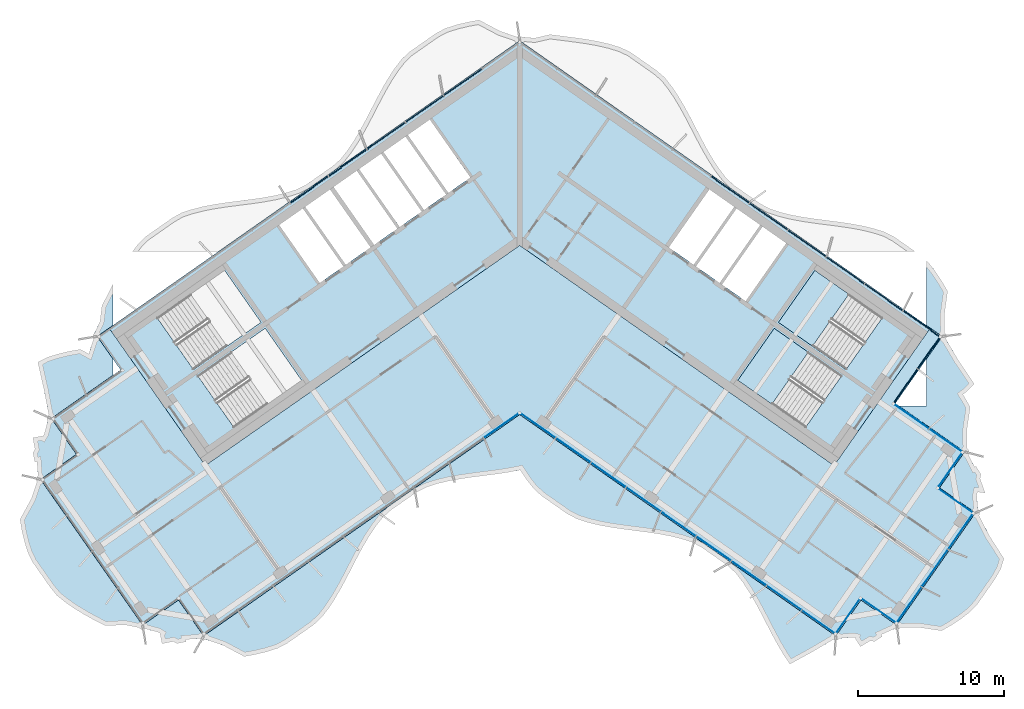
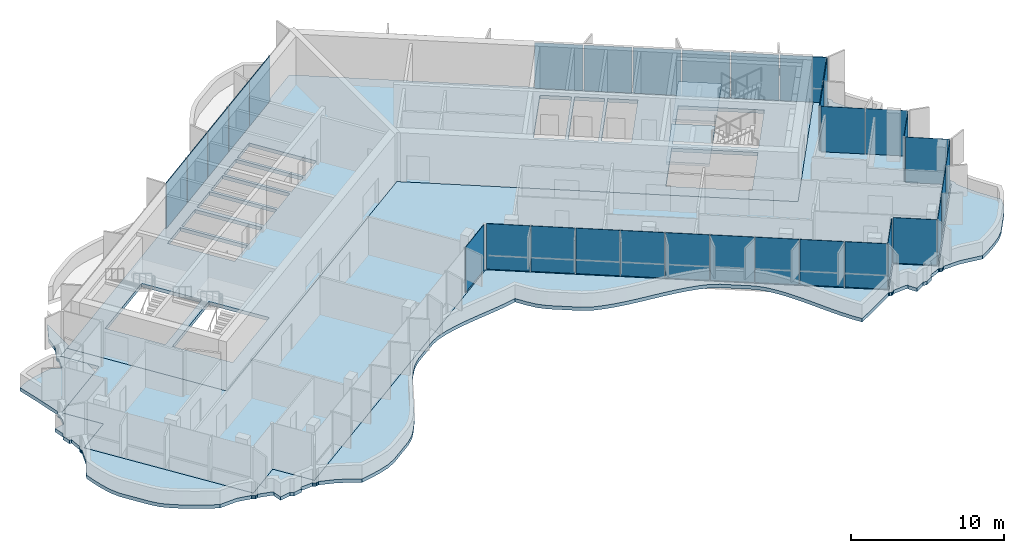
# One storey, part 8 of 18: 32 plates, 5 slabs, 4 elements without a shape of their own.
"""IFC4 building model written with IfcOpenShell, lengths in metres."""

import ifcopenshell
import ifcopenshell.guid

model = None  # the IFC model being written
_history = None  # IfcOwnerHistory: only IFC2X3 demands one
_inside = {}  # id of a spatial element -> (the spatial element, [elements in it])
_under = {}  # id of a project, library or spatial element -> (it, [spatial elements below it])
_declared = {}  # id of a project -> (the project, [libraries it declares])
_typed = {}  # id of a type object -> (the type object, [elements of that type])
_made_of = {}  # id of a material, layer set ... -> (it, [elements and type objects made of it])


def new_model(schema):
    """Start an empty IFC model of exactly this schema.

    Asked for "IFC4X3", IfcOpenShell would pick the latest addendum, in which some entities
    have other attributes; the version numbers below select the first issue.
    IFC2X3 requires an IfcOwnerHistory on every rooted entity: one is made here for all.
    """
    global model, _history
    if schema == "IFC4X3":
        model = ifcopenshell.file(schema_version=(4, 3, 0, 0))
    else:
        model = ifcopenshell.file(schema=schema)
    _inside.clear()
    _under.clear()
    _declared.clear()
    _typed.clear()
    _made_of.clear()
    _history = None
    if model.schema == "IFC2X3":
        org = make("IfcOrganization", Name="unknown")
        user = make(
            "IfcPersonAndOrganization",
            ThePerson=make("IfcPerson", FamilyName="unknown"),
            TheOrganization=org,
        )
        app = make(
            "IfcApplication",
            ApplicationDeveloper=org,
            Version="unknown",
            ApplicationFullName="unknown",
            ApplicationIdentifier="unknown",
        )
        _history = make(
            "IfcOwnerHistory",
            OwningUser=user,
            OwningApplication=app,
            ChangeAction="ADDED",
            CreationDate=0,
        )
    return model


def make(cls, **values):
    """One entity of the class cls with the attributes given. An attribute that is None is left unset."""
    return model.create_entity(
        cls, **{name: value for name, value in values.items() if value is not None}
    )


def rooted(cls, **values):
    """An entity with a GlobalId (a new one), such as an element, a storey or a relation."""
    return make(cls, GlobalId=ifcopenshell.guid.new(), OwnerHistory=_history, **values)


def si_unit(unit_type, name, prefix=None):
    """IfcSIUnit, for example si_unit("LENGTHUNIT", "METRE", prefix="MILLI")."""
    return make("IfcSIUnit", UnitType=unit_type, Prefix=prefix, Name=name)


def assignment(units):
    """IfcUnitAssignment: the units of a project."""
    return None if units is None else make("IfcUnitAssignment", Units=units)


def point(xyz):
    """IfcCartesianPoint."""
    return None if xyz is None else make("IfcCartesianPoint", Coordinates=xyz)


def direction(xyz):
    """IfcDirection."""
    return None if xyz is None else make("IfcDirection", DirectionRatios=xyz)


def frame(location, z_axis=None, x_axis=None):
    """IfcAxis2Placement3D, a coordinate frame: its origin and axes. An axis left out is left unset."""
    return make(
        "IfcAxis2Placement3D",
        Location=point(location),
        Axis=direction(z_axis),
        RefDirection=direction(x_axis),
    )


def frame_2d(location, x_axis=None):
    """IfcAxis2Placement2D, a coordinate frame in the plane: its origin and x axis."""
    return make(
        "IfcAxis2Placement2D", Location=point(location), RefDirection=direction(x_axis)
    )


def origin():
    """The frame at (0, 0, 0) with its axes left unset."""
    return frame((0.0, 0.0, 0.0))


def origin_2d():
    """The frame at (0, 0) in the plane with its x axis left unset."""
    return frame_2d((0.0, 0.0))


def place(relative_to, where):
    """IfcLocalPlacement: puts the frame where relative to a parent placement (None: the world)."""
    return make(
        "IfcLocalPlacement", PlacementRelTo=relative_to, RelativePlacement=where
    )


def context(
    kind, dimensions, precision=None, world=None, true_north=None, identifier=None
):
    """IfcGeometricRepresentationContext, for example the 3D "Model" context."""
    return make(
        "IfcGeometricRepresentationContext",
        ContextIdentifier=identifier,
        ContextType=kind,
        CoordinateSpaceDimension=dimensions,
        Precision=precision,
        WorldCoordinateSystem=world,
        TrueNorth=true_north,
    )


def subcontext(parent, identifier, kind, view, scale=None):
    """IfcGeometricRepresentationSubContext, for example "Body" below "Model"."""
    return make(
        "IfcGeometricRepresentationSubContext",
        ContextIdentifier=identifier,
        ContextType=kind,
        ParentContext=parent,
        TargetScale=scale,
        TargetView=view,
    )


def project(units=None, contexts=None):
    """IfcProject with its units and contexts."""
    return rooted(
        "IfcProject",
        Name="project",
        RepresentationContexts=contexts,
        UnitsInContext=assignment(units),
    )


def spatial(cls, under=None, at=None, **own):
    """A site, building, storey or space (cls), placed at a placement, below another one or the project."""
    s = rooted(cls, ObjectPlacement=at, **own)
    if under is not None:
        _under.setdefault(under.id(), (under, []))[1].append(s)
    return s


def polyline(points):
    """IfcPolyline through the points."""
    return make("IfcPolyline", Points=[point(p) for p in points])


def profile(cls, at=None, kind="AREA", **sizes):
    """A parametric profile (cls). Its sizes go by their IFC names, for example OverallWidth=200.0."""
    return make(cls, ProfileType=kind, Position=at, **sizes)


def rectangle(**sizes):
    """IfcRectangleProfileDef."""
    return profile("IfcRectangleProfileDef", **sizes)


def outline(outer, holes=None, kind="AREA"):
    """IfcArbitraryClosedProfileDef: a profile drawn as a closed curve; with holes, ...WithVoids."""
    if holes is None:
        return make("IfcArbitraryClosedProfileDef", ProfileType=kind, OuterCurve=outer)
    return make(
        "IfcArbitraryProfileDefWithVoids",
        ProfileType=kind,
        OuterCurve=outer,
        InnerCurves=holes,
    )


def extrude(swept, where, along, depth):
    """IfcExtrudedAreaSolid: the profile swept, set in the frame where, extruded along a direction by depth."""
    return make(
        "IfcExtrudedAreaSolid",
        SweptArea=swept,
        Position=where,
        ExtrudedDirection=direction(along),
        Depth=depth,
    )


def shape(context_of_items, identifier, shape_type, items):
    """IfcShapeRepresentation: the items that make up one representation, for example the "Body"."""
    return make(
        "IfcShapeRepresentation",
        ContextOfItems=context_of_items,
        RepresentationIdentifier=identifier,
        RepresentationType=shape_type,
        Items=items,
    )


def material(Name=None, Category=None):
    """IfcMaterial."""
    return make("IfcMaterial", Name=Name, Category=Category)


def layer(
    of_material, thickness, ventilated=None, Name=None, Category=None, Priority=None
):
    """IfcMaterialLayer: one layer of a wall or slab, of a material (None: an air gap)."""
    return make(
        "IfcMaterialLayer",
        Material=of_material,
        LayerThickness=thickness,
        IsVentilated=ventilated,
        Name=Name,
        Category=Category,
        Priority=Priority,
    )


def layer_set(layers, Name=None):
    """IfcMaterialLayerSet."""
    return make("IfcMaterialLayerSet", MaterialLayers=layers, LayerSetName=Name)


def made_of(thing, what):
    """Note that an element or type object is made of a material, layer set ...; save() writes the relation."""
    if what is not None:
        _made_of.setdefault(what.id(), (what, []))[1].append(thing)
    return thing


def type_object(cls, material=None, **own):
    """A type object (cls), such as IfcWallType, which elements share."""
    return made_of(rooted(cls, **own), material)


def element(
    cls,
    number,
    at=None,
    inside=None,
    cuts=None,
    type_object=None,
    material=None,
    context=None,
    identifier="Body",
    shape_type=None,
    held_by="IfcProductDefinitionShape",
    body=None,
    shapes=None,
    **own,
):
    """One element of the class cls, such as IfcWall. Its Tag is "e" and its number.

    at: its placement. inside: the storey or other place that contains it. cuts: it is an
    opening in that element (IfcRelVoidsElement). A single representation is given by context,
    identifier, shape_type and body (its items); several are given by shapes. held_by: the class
    of the entity that holds the representations. save() writes the other relations.
    """
    e = rooted(cls, Tag="e%d" % number, ObjectPlacement=at, **own)
    if body is not None:
        shapes = [shape(context, identifier, shape_type, body)]
    if shapes is not None:
        e.Representation = make(held_by, Representations=shapes)
    if inside is not None:
        _inside.setdefault(inside.id(), (inside, []))[1].append(e)
    if cuts is not None:
        rooted(
            "IfcRelVoidsElement", RelatingBuildingElement=cuts, RelatedOpeningElement=e
        )
    if type_object is not None:
        _typed.setdefault(type_object.id(), (type_object, []))[1].append(e)
    return made_of(e, material)


def aggregate(whole, parts):
    """IfcRelAggregates: a whole, such as a stair, and the parts it consists of."""
    return rooted("IfcRelAggregates", RelatingObject=whole, RelatedObjects=parts)


def save(model, path):
    """Write the relations noted so far, then the file.

    IfcRelAggregates (storeys below a building ...), IfcRelContainedInSpatialStructure (elements
    in a storey), IfcRelDefinesByType, IfcRelAssociatesMaterial and IfcRelDeclares: one each for
    every whole, place, type object, material and project.
    """
    for whole, parts in _under.values():
        aggregate(whole, parts)
    for where, things in _inside.values():
        rooted(
            "IfcRelContainedInSpatialStructure",
            RelatedElements=things,
            RelatingStructure=where,
        )
    for kind, things in _typed.values():
        rooted("IfcRelDefinesByType", RelatedObjects=things, RelatingType=kind)
    for what, things in _made_of.values():
        rooted("IfcRelAssociatesMaterial", RelatedObjects=things, RelatingMaterial=what)
    for by, libraries in _declared.values():
        rooted("IfcRelDeclares", RelatingContext=by, RelatedDefinitions=libraries)
    model.write(path)


model = new_model("IFC4")

# Units and contexts
model_context = context("Model", 3, precision=1e-05, world=origin(), true_north=direction((0.0, 1.0)))
body_context = subcontext(model_context, "Body", "Model", "MODEL_VIEW")
ifc_project = project(units=[si_unit("LENGTHUNIT", "METRE"), si_unit("AREAUNIT", "SQUARE_METRE"), si_unit("VOLUMEUNIT", "CUBIC_METRE"), si_unit("PLANEANGLEUNIT", "RADIAN"), si_unit("MASSUNIT", "GRAM", prefix="KILO")], contexts=[model_context])

# Site, building, storey
site_placement = place(None, origin())
site = spatial("IfcSite", under=ifc_project, at=site_placement, CompositionType="ELEMENT")
building_placement = place(site_placement, origin())
building = spatial("IfcBuilding", under=site, at=building_placement, Name="Tel Ilan Convention Tower", CompositionType="ELEMENT")
storey_placement = place(building_placement, frame((0.0, 0.0, 260.5)))
storey = spatial("IfcBuildingStorey", under=building, at=storey_placement, Name="L61", CompositionType="ELEMENT", Elevation=260.5)

# Curtain wall, plates
ifc_material_1 = material(Name="Aluminium, bronze anodised", Category="aluminium")
curtain_wall_type_1 = type_object("IfcCurtainWallType", Name="CW2 STICK CURTAIN WALL, SPANDREL PANELS", PredefinedType="NOTDEFINED", material=ifc_material_1)
curtain_wall_1_placement = place(storey_placement, origin())
curtain_wall_1 = element("IfcCurtainWall", 1, at=curtain_wall_1_placement, inside=storey, type_object=curtain_wall_type_1, Name="Curtain wall CW2-46.01", PredefinedType="NOTDEFINED")
ifc_material_2 = material(Name="Aluminium composite panel, bronze anodised", Category="aluminium")
ifc_layer_1 = layer(ifc_material_2, 0.06005859375)
ifc_layer_set_1 = layer_set([ifc_layer_1], Name="CW SPANDREL PANEL 60")
plate_type_1 = type_object("IfcPlateType", Name="CW SPANDREL PANEL 60", PredefinedType="CURTAIN_PANEL", material=ifc_layer_set_1)
plate_1_placement = place(storey_placement, frame((26.45947265625, -10.85400390625, 0.0), z_axis=(0.0, 0.0, 1.0), x_axis=(0.573576436351, 0.819152044289, 0.0)))
plate_1 = element("IfcPlate", 2, at=plate_1_placement, type_object=plate_type_1, Name="Spandrel panel", PredefinedType="CURTAIN_PANEL", context=body_context, shape_type="SweptSolid", body=[
    extrude(rectangle(XDim=2.76904296875, YDim=0.06005859375, at=origin_2d()), origin(), (0.0, 0.0, 1.0), 3.6201171875),
])
plate_2_placement = place(storey_placement, frame((28.042236328125, -8.593505859375, 0.0), z_axis=(0.0, 0.0, 1.0), x_axis=(0.573576436351, 0.819152044289, 0.0)))
plate_2 = element("IfcPlate", 3, at=plate_2_placement, type_object=plate_type_1, Name="Spandrel panel", PredefinedType="CURTAIN_PANEL", context=body_context, shape_type="SweptSolid", body=[
    extrude(rectangle(XDim=2.6298828125, YDim=0.06005859375, at=origin_2d()), origin(), (0.0, 0.0, 1.0), 3.6201171875),
])
plate_3_placement = place(storey_placement, frame((27.5400390625, -6.587646484375, 0.0), z_axis=(0.0, 0.0, 1.0), x_axis=(-0.819152044289, 0.573576436351, 0.0)))
plate_3 = element("IfcPlate", 4, at=plate_3_placement, type_object=plate_type_1, Name="Spandrel panel", PredefinedType="CURTAIN_PANEL", context=body_context, shape_type="SweptSolid", body=[
    extrude(rectangle(XDim=3.0439453125, YDim=0.06005859375, at=origin_2d()), origin(), (0.0, 0.0, 1.0), 3.6201171875),
])
plate_4_placement = place(storey_placement, frame((24.95263671875, -4.77587890625, 0.0), z_axis=(0.0, 0.0, 1.0), x_axis=(-0.819152044289, 0.573576436351, 0.0)))
plate_4 = element("IfcPlate", 5, at=plate_4_placement, type_object=plate_type_1, Name="Spandrel panel", PredefinedType="CURTAIN_PANEL", context=body_context, shape_type="SweptSolid", body=[
    extrude(rectangle(XDim=3.15380859375, YDim=0.06005859375, at=origin_2d()), origin(), (0.0, 0.0, 1.0), 3.6201171875),
])
plate_5_placement = place(storey_placement, frame((22.31982421875, -2.9326171875, 0.0), z_axis=(0.0, 0.0, 1.0), x_axis=(-0.819152044289, 0.573576436351, 0.0)))
plate_5 = element("IfcPlate", 6, at=plate_5_placement, type_object=plate_type_1, Name="Spandrel panel", PredefinedType="CURTAIN_PANEL", context=body_context, shape_type="SweptSolid", body=[
    extrude(rectangle(XDim=3.15380859375, YDim=0.06005859375, at=origin_2d()), origin(), (0.0, 0.0, 1.0), 3.6201171875),
])
plate_6_placement = place(storey_placement, frame((19.687255859375, -1.089111328125, 0.0), z_axis=(0.0, 0.0, 1.0), x_axis=(-0.819152044289, 0.573576436351, 0.0)))
plate_6 = element("IfcPlate", 7, at=plate_6_placement, type_object=plate_type_1, Name="Spandrel panel", PredefinedType="CURTAIN_PANEL", context=body_context, shape_type="SweptSolid", body=[
    extrude(rectangle(XDim=3.15380859375, YDim=0.06005859375, at=origin_2d()), origin(), (0.0, 0.0, 1.0), 3.6201171875),
])
plate_7_placement = place(storey_placement, frame((17.0546875, 0.754150390625, 0.0), z_axis=(0.0, 0.0, 1.0), x_axis=(-0.819152044289, 0.573576436351, 0.0)))
plate_7 = element("IfcPlate", 8, at=plate_7_placement, type_object=plate_type_1, Name="Spandrel panel", PredefinedType="CURTAIN_PANEL", context=body_context, shape_type="SweptSolid", body=[
    extrude(rectangle(XDim=3.15380859375, YDim=0.06005859375, at=origin_2d()), origin(), (0.0, 0.0, 1.0), 3.6201171875),
])
plate_8_placement = place(storey_placement, frame((14.422119140625, 2.59765625, 0.0), z_axis=(0.0, 0.0, 1.0), x_axis=(-0.819152044289, 0.573576436351, 0.0)))
plate_8 = element("IfcPlate", 9, at=plate_8_placement, type_object=plate_type_1, Name="Spandrel panel", PredefinedType="CURTAIN_PANEL", context=body_context, shape_type="SweptSolid", body=[
    extrude(rectangle(XDim=3.15380859375, YDim=0.06005859375, at=origin_2d()), origin(), (0.0, 0.0, 1.0), 3.6201171875),
])
plate_9_placement = place(storey_placement, frame((-3.8916015625, 9.97119140625, 0.0), z_axis=(0.0, 0.0, 1.0), x_axis=(-0.819152044289, -0.573576436351, 0.0)))
plate_9 = element("IfcPlate", 10, at=plate_9_placement, type_object=plate_type_1, Name="Spandrel panel", PredefinedType="CURTAIN_PANEL", context=body_context, shape_type="SweptSolid", body=[
    extrude(rectangle(XDim=3.15380859375, YDim=0.06005859375, at=origin_2d()), origin(), (0.0, 0.0, 1.0), 3.6201171875),
])
plate_10_placement = place(storey_placement, frame((-6.524169921875, 8.127685546875, 0.0), z_axis=(0.0, 0.0, 1.0), x_axis=(-0.819152044289, -0.573576436351, 0.0)))
plate_10 = element("IfcPlate", 11, at=plate_10_placement, type_object=plate_type_1, Name="Spandrel panel", PredefinedType="CURTAIN_PANEL", context=body_context, shape_type="SweptSolid", body=[
    extrude(rectangle(XDim=3.15380859375, YDim=0.06005859375, at=origin_2d()), origin(), (0.0, 0.0, 1.0), 3.6201171875),
])
plate_11_placement = place(storey_placement, frame((-9.15673828125, 6.284423828125, 0.0), z_axis=(0.0, 0.0, 1.0), x_axis=(-0.819152044289, -0.573576436351, 0.0)))
plate_11 = element("IfcPlate", 12, at=plate_11_placement, type_object=plate_type_1, Name="Spandrel panel", PredefinedType="CURTAIN_PANEL", context=body_context, shape_type="SweptSolid", body=[
    extrude(rectangle(XDim=3.15380859375, YDim=0.06005859375, at=origin_2d()), origin(), (0.0, 0.0, 1.0), 3.6201171875),
])
plate_12_placement = place(storey_placement, frame((-11.789306640625, 4.44091796875, 0.0), z_axis=(0.0, 0.0, 1.0), x_axis=(-0.819152044289, -0.573576436351, 0.0)))
plate_12 = element("IfcPlate", 13, at=plate_12_placement, type_object=plate_type_1, Name="Spandrel panel", PredefinedType="CURTAIN_PANEL", context=body_context, shape_type="SweptSolid", body=[
    extrude(rectangle(XDim=3.15380859375, YDim=0.06005859375, at=origin_2d()), origin(), (0.0, 0.0, 1.0), 3.6201171875),
])
plate_13_placement = place(storey_placement, frame((-14.422119140625, 2.59765625, 0.0), z_axis=(0.0, 0.0, 1.0), x_axis=(-0.819152044289, -0.573576436351, 0.0)))
plate_13 = element("IfcPlate", 14, at=plate_13_placement, type_object=plate_type_1, Name="Spandrel panel", PredefinedType="CURTAIN_PANEL", context=body_context, shape_type="SweptSolid", body=[
    extrude(rectangle(XDim=3.15380859375, YDim=0.06005859375, at=origin_2d()), origin(), (0.0, 0.0, 1.0), 3.6201171875),
])
aggregate(curtain_wall_1, [plate_1, plate_2, plate_3, plate_4, plate_5, plate_6, plate_7, plate_8, plate_9, plate_10, plate_11, plate_12, plate_13])

ifc_material_3 = material(Name="Aluminium, bronze anodised", Category="aluminium")
curtain_wall_type_2 = type_object("IfcCurtainWallType", Name="CW5 STICK CURTAIN WALL, UPPER OFFICE LOW-IRON TINTED GLASS", PredefinedType="NOTDEFINED", material=ifc_material_3)
curtain_wall_2_placement = place(storey_placement, origin())
curtain_wall_2 = element("IfcCurtainWall", 15, at=curtain_wall_2_placement, inside=storey, type_object=curtain_wall_type_2, Name="Curtain wall CW5-46.02", PredefinedType="NOTDEFINED")
ifc_material_4 = material(Name="Glass, low-iron bronze tinted, two-ply", Category="glass")
ifc_layer_2 = layer(ifc_material_4, 0.031982421875)
ifc_layer_set_2 = layer_set([ifc_layer_2], Name="CW UPPER GLASS PANEL 32")
plate_type_2 = type_object("IfcPlateType", Name="CW UPPER GLASS PANEL 32", PredefinedType="CURTAIN_PANEL", material=ifc_layer_set_2)
plate_14_placement = place(storey_placement, frame((-1.261474609375, -13.579345703125, 0.0), z_axis=(0.0, 0.0, 1.0), x_axis=(0.819152044289, 0.573576436351, 0.0)))
plate_14 = element("IfcPlate", 16, at=plate_14_placement, type_object=plate_type_2, Name="Glass panel", PredefinedType="CURTAIN_PANEL", context=body_context, shape_type="SweptSolid", body=[
    extrude(rectangle(XDim=2.877685546875, YDim=0.028076171875, at=origin_2d()), origin(), (0.0, 0.0, 1.0), 3.6201171875),
])
plate_15_placement = place(storey_placement, frame((1.27294921875, -13.58740234375, 0.0), z_axis=(0.0, 0.0, 1.0), x_axis=(0.819152044289, -0.573576436351, 0.0)))
plate_15 = element("IfcPlate", 17, at=plate_15_placement, type_object=plate_type_2, Name="Glass panel", PredefinedType="CURTAIN_PANEL", context=body_context, shape_type="SweptSolid", body=[
    extrude(rectangle(XDim=2.849609375, YDim=0.028076171875, at=origin_2d()), origin(), (0.0, 0.0, 1.0), 3.6201171875),
])
plate_16_placement = place(storey_placement, frame((3.668212890625, -15.264404296875, 0.0), z_axis=(0.0, 0.0, 1.0), x_axis=(0.819152044289, -0.573576436351, 0.0)))
plate_16 = element("IfcPlate", 18, at=plate_16_placement, type_object=plate_type_2, Name="Glass panel", PredefinedType="CURTAIN_PANEL", context=body_context, shape_type="SweptSolid", body=[
    extrude(rectangle(XDim=2.878662109375, YDim=0.028076171875, at=origin_2d()), origin(), (0.0, 0.0, 1.0), 3.6201171875),
])
plate_17_placement = place(storey_placement, frame((6.075439453125, -16.949951171875, 0.0), z_axis=(0.0, 0.0, 1.0), x_axis=(0.819152044289, -0.573576436351, 0.0)))
plate_17 = element("IfcPlate", 19, at=plate_17_placement, type_object=plate_type_2, Name="Glass panel", PredefinedType="CURTAIN_PANEL", context=body_context, shape_type="SweptSolid", body=[
    extrude(rectangle(XDim=2.878662109375, YDim=0.028076171875, at=origin_2d()), origin(), (0.0, 0.0, 1.0), 3.6201171875),
])
plate_18_placement = place(storey_placement, frame((8.482666015625, -18.635498046875, 0.0), z_axis=(0.0, 0.0, 1.0), x_axis=(0.819152044289, -0.573576436351, 0.0)))
plate_18 = element("IfcPlate", 20, at=plate_18_placement, type_object=plate_type_2, Name="Glass panel", PredefinedType="CURTAIN_PANEL", context=body_context, shape_type="SweptSolid", body=[
    extrude(rectangle(XDim=2.878662109375, YDim=0.028076171875, at=origin_2d()), origin(), (0.0, 0.0, 1.0), 3.6201171875),
])
plate_19_placement = place(storey_placement, frame((10.8896484375, -20.321044921875, 0.0), z_axis=(0.0, 0.0, 1.0), x_axis=(0.819152044289, -0.573576436351, 0.0)))
plate_19 = element("IfcPlate", 21, at=plate_19_placement, type_object=plate_type_2, Name="Glass panel", PredefinedType="CURTAIN_PANEL", context=body_context, shape_type="SweptSolid", body=[
    extrude(rectangle(XDim=2.878662109375, YDim=0.028076171875, at=origin_2d()), origin(), (0.0, 0.0, 1.0), 3.6201171875),
])
plate_20_placement = place(storey_placement, frame((13.296875, -22.006591796875, 0.0), z_axis=(0.0, 0.0, 1.0), x_axis=(0.819152044289, -0.573576436351, 0.0)))
plate_20 = element("IfcPlate", 22, at=plate_20_placement, type_object=plate_type_2, Name="Glass panel", PredefinedType="CURTAIN_PANEL", context=body_context, shape_type="SweptSolid", body=[
    extrude(rectangle(XDim=2.878662109375, YDim=0.028076171875, at=origin_2d()), origin(), (0.0, 0.0, 1.0), 3.6201171875),
])
plate_21_placement = place(storey_placement, frame((15.7041015625, -23.692138671875, 0.0), z_axis=(0.0, 0.0, 1.0), x_axis=(0.819152044289, -0.573576436351, 0.0)))
plate_21 = element("IfcPlate", 23, at=plate_21_placement, type_object=plate_type_2, Name="Glass panel", PredefinedType="CURTAIN_PANEL", context=body_context, shape_type="SweptSolid", body=[
    extrude(rectangle(XDim=2.878662109375, YDim=0.028076171875, at=origin_2d()), origin(), (0.0, 0.0, 1.0), 3.6201171875),
])
plate_22_placement = place(storey_placement, frame((18.111328125, -25.377685546875, 0.0), z_axis=(0.0, 0.0, 1.0), x_axis=(0.819152044289, -0.573576436351, 0.0)))
plate_22 = element("IfcPlate", 24, at=plate_22_placement, type_object=plate_type_2, Name="Glass panel", PredefinedType="CURTAIN_PANEL", context=body_context, shape_type="SweptSolid", body=[
    extrude(rectangle(XDim=2.878662109375, YDim=0.028076171875, at=origin_2d()), origin(), (0.0, 0.0, 1.0), 3.6201171875),
])
plate_23_placement = place(storey_placement, frame((20.47998046875, -27.036376953125, 0.0), z_axis=(0.0, 0.0, 1.0), x_axis=(0.819152044289, -0.573576436351, 0.0)))
plate_23 = element("IfcPlate", 25, at=plate_23_placement, type_object=plate_type_2, Name="Glass panel", PredefinedType="CURTAIN_PANEL", context=body_context, shape_type="SweptSolid", body=[
    extrude(rectangle(XDim=2.78466796875, YDim=0.028076171875, at=origin_2d()), origin(), (0.0, 0.0, 1.0), 3.6201171875),
])
plate_24_placement = place(storey_placement, frame((22.478515625, -26.651611328125, 0.0), z_axis=(0.0, 0.0, 1.0), x_axis=(0.573576436351, 0.819152044289, 0.0)))
plate_24 = element("IfcPlate", 26, at=plate_24_placement, type_object=plate_type_2, Name="Glass panel", PredefinedType="CURTAIN_PANEL", context=body_context, shape_type="SweptSolid", body=[
    extrude(rectangle(XDim=2.875, YDim=0.028076171875, at=origin_2d()), origin(), (0.0, 0.0, 1.0), 3.6201171875),
])
plate_25_placement = place(storey_placement, frame((24.621337890625, -26.273681640625, 0.0), z_axis=(0.0, 0.0, 1.0), x_axis=(0.819152044289, -0.573576436351, 0.0)))
plate_25 = element("IfcPlate", 27, at=plate_25_placement, type_object=plate_type_2, Name="Glass panel", PredefinedType="CURTAIN_PANEL", context=body_context, shape_type="SweptSolid", body=[
    extrude(rectangle(XDim=2.875, YDim=0.028076171875, at=origin_2d()), origin(), (0.0, 0.0, 1.0), 3.6201171875),
])
plate_26_placement = place(storey_placement, frame((26.6865234375, -25.8720703125, 0.0), z_axis=(0.0, 0.0, 1.0), x_axis=(0.573576436351, 0.819152044289, 0.0)))
plate_26 = element("IfcPlate", 28, at=plate_26_placement, type_object=plate_type_2, Name="Glass panel", PredefinedType="CURTAIN_PANEL", context=body_context, shape_type="SweptSolid", body=[
    extrude(rectangle(XDim=2.979248046875, YDim=0.028076171875, at=origin_2d()), origin(), (0.0, 0.0, 1.0), 3.6201171875),
])
plate_27_placement = place(storey_placement, frame((28.456787109375, -23.343994140625, 0.0), z_axis=(0.0, 0.0, 1.0), x_axis=(0.573576436351, 0.819152044289, 0.0)))
plate_27 = element("IfcPlate", 29, at=plate_27_placement, type_object=plate_type_2, Name="Glass panel", PredefinedType="CURTAIN_PANEL", context=body_context, shape_type="SweptSolid", body=[
    extrude(rectangle(XDim=3.0732421875, YDim=0.028076171875, at=origin_2d()), origin(), (0.0, 0.0, 1.0), 3.6201171875),
])
plate_28_placement = place(storey_placement, frame((30.22705078125, -20.815673828125, 0.0), z_axis=(0.0, 0.0, 1.0), x_axis=(0.573576436351, 0.819152044289, 0.0)))
plate_28 = element("IfcPlate", 30, at=plate_28_placement, type_object=plate_type_2, Name="Glass panel", PredefinedType="CURTAIN_PANEL", context=body_context, shape_type="SweptSolid", body=[
    extrude(rectangle(XDim=2.979248046875, YDim=0.028076171875, at=origin_2d()), origin(), (0.0, 0.0, 1.0), 3.6201171875),
])
plate_29_placement = place(storey_placement, frame((29.898193359375, -18.737548828125, 0.0), z_axis=(0.0, 0.0, 1.0), x_axis=(-0.819152044289, 0.573576436351, 0.0)))
plate_29 = element("IfcPlate", 31, at=plate_29_placement, type_object=plate_type_2, Name="Glass panel", PredefinedType="CURTAIN_PANEL", context=body_context, shape_type="SweptSolid", body=[
    extrude(rectangle(XDim=2.875, YDim=0.028076171875, at=origin_2d()), origin(), (0.0, 0.0, 1.0), 3.6201171875),
])
plate_30_placement = place(storey_placement, frame((29.520263671875, -16.5947265625, 0.0), z_axis=(0.0, 0.0, 1.0), x_axis=(0.573576436351, 0.819152044289, 0.0)))
plate_30 = element("IfcPlate", 32, at=plate_30_placement, type_object=plate_type_2, Name="Glass panel", PredefinedType="CURTAIN_PANEL", context=body_context, shape_type="SweptSolid", body=[
    extrude(rectangle(XDim=2.875, YDim=0.028076171875, at=origin_2d()), origin(), (0.0, 0.0, 1.0), 3.6201171875),
])
plate_31_placement = place(storey_placement, frame((29.21435546875, -14.59619140625, 0.0), z_axis=(0.0, 0.0, 1.0), x_axis=(-0.819152044289, 0.573576436351, 0.0)))
plate_31 = element("IfcPlate", 33, at=plate_31_placement, type_object=plate_type_2, Name="Glass panel", PredefinedType="CURTAIN_PANEL", context=body_context, shape_type="SweptSolid", body=[
    extrude(rectangle(XDim=2.74609375, YDim=0.028076171875, at=origin_2d()), origin(), (0.0, 0.0, 1.0), 3.6201171875),
])
plate_32_placement = place(storey_placement, frame((26.865234375, -12.95166015625, 0.0), z_axis=(0.0, 0.0, 1.0), x_axis=(-0.819152044289, 0.573576436351, 0.0)))
plate_32 = element("IfcPlate", 34, at=plate_32_placement, type_object=plate_type_2, Name="Glass panel", PredefinedType="CURTAIN_PANEL", context=body_context, shape_type="SweptSolid", body=[
    extrude(rectangle(XDim=2.868896484375, YDim=0.028076171875, at=origin_2d()), origin(), (0.0, 0.0, 1.0), 3.6201171875),
])
aggregate(curtain_wall_2, [plate_14, plate_15, plate_16, plate_17, plate_18, plate_19, plate_20, plate_21, plate_22, plate_23, plate_24, plate_25, plate_26, plate_27, plate_28, plate_29, plate_30, plate_31, plate_32])

# Stair, slab
ifc_material_5 = material(Name="Concrete C40/50", Category="concrete")
stair_type = type_object("IfcStairType", Name="Pressurised Exit Stair 22 risers 177 mm", PredefinedType="HALF_TURN_STAIR", material=ifc_material_5)
stair_1_placement = place(storey_placement, origin())
stair_1 = element("IfcStair", 35, at=stair_1_placement, inside=storey, type_object=stair_type, Name="L61 Pressurised Stair S3", PredefinedType="HALF_TURN_STAIR")
ifc_material_6 = material(Name="Concrete C40/50", Category="concrete")
ifc_layer_3 = layer(ifc_material_6, 0.199951171875)
ifc_layer_set_3 = layer_set([ifc_layer_3], Name="Concrete Stair Landing 200 mm C40/50")
slab_type_1 = type_object("IfcSlabType", Name="Concrete Stair Landing 200 mm", PredefinedType="LANDING", material=ifc_layer_set_3)
slab_1_placement = place(storey_placement, frame((0.0, 0.0, 1.75)))
slab_1 = element("IfcSlab", 36, at=slab_1_placement, type_object=slab_type_1, Name="S3 landing 1", PredefinedType="LANDING", context=body_context, shape_type="SweptSolid", body=[
    extrude(outline(polyline([(22.561767578125, -4.566650390625), (20.226318359375, -2.931640625), (17.7314453125, -6.494873046875), (20.066650390625, -8.130126953125), (22.561767578125, -4.566650390625)])), origin(), (0.0, 0.0, 1.0), 0.199951171875),
])
aggregate(stair_1, [slab_1])

stair_2_placement = place(storey_placement, origin())
stair_2 = element("IfcStair", 37, at=stair_2_placement, inside=storey, type_object=stair_type, Name="L61 Pressurised Stair S4", PredefinedType="HALF_TURN_STAIR")
slab_2_placement = place(storey_placement, frame((0.0, 0.0, 1.75)))
slab_2 = element("IfcSlab", 38, at=slab_2_placement, type_object=slab_type_1, Name="S4 landing 1", PredefinedType="LANDING", context=body_context, shape_type="SweptSolid", body=[
    extrude(outline(polyline([(19.77978515625, -8.53955078125), (17.444580078125, -6.904541015625), (14.949462890625, -10.4677734375), (17.28466796875, -12.10302734375), (19.77978515625, -8.53955078125)])), origin(), (0.0, 0.0, 1.0), 0.199951171875),
])
aggregate(stair_2, [slab_2])

# Slabs
ifc_material_7 = material(Name="Concrete C40/50", Category="concrete")
ifc_layer_4 = layer(ifc_material_7, 0.280029296875)
ifc_layer_set_4 = layer_set([ifc_layer_4], Name="Core Floor Slab 280 mm C40/50")
slab_type_2 = type_object("IfcSlabType", Name="Core Floor Slab 280 mm C40/50", PredefinedType="FLOOR", material=ifc_layer_set_4)
slab_3_placement = place(storey_placement, frame((0.0, 0.0, -0.280029296875)))
element("IfcSlab", 39, at=slab_3_placement, inside=storey, type_object=slab_type_2, Name="L61 core floor 1", PredefinedType="FLOOR", context=body_context, shape_type="SweptSolid", body=[
    extrude(outline(polyline([(-28.1396484375, -6.885498046875), (0.0, 12.818115234375), (28.1396484375, -6.885498046875), (21.54345703125, -16.3056640625), (0.0, -1.220703125), (-21.54345703125, -16.3056640625), (-28.1396484375, -6.885498046875)]), holes=[polyline([(-17.444580078125, -6.904541015625), (-22.072021484375, -10.144775390625), (-19.5771484375, -13.7080078125), (-14.949462890625, -10.4677734375), (-17.444580078125, -6.904541015625)]), polyline([(-17.7314453125, -6.494873046875), (-20.226318359375, -2.931640625), (-24.85400390625, -6.171875), (-22.35888671875, -9.735107421875), (-17.7314453125, -6.494873046875)]), polyline([(-14.864990234375, 1.310791015625), (-16.48291015625, 0.177978515625), (-13.701171875, -3.794921875), (-12.083251953125, -2.662109375), (-14.864990234375, 1.310791015625)]), polyline([(-14.701416015625, 1.425537109375), (-11.91943359375, -2.54736328125), (-10.2197265625, -1.357421875), (-13.001708984375, 2.615478515625), (-14.701416015625, 1.425537109375)]), polyline([(-11.168701171875, 3.89892578125), (-12.755859375, 2.78759765625), (-9.97412109375, -1.185302734375), (-8.386962890625, -0.073974609375), (-11.168701171875, 3.89892578125)]), polyline([(-9.499755859375, 5.067626953125), (-11.0048828125, 4.013671875), (-8.222900390625, 0.040771484375), (-6.718017578125, 1.0947265625), (-9.499755859375, 5.067626953125)]), polyline([(-9.3359375, 5.182373046875), (-6.553955078125, 1.20947265625), (-5.048828125, 2.263427734375), (-7.830810546875, 6.236328125), (-9.3359375, 5.182373046875)]), polyline([(17.444580078125, -6.904541015625), (14.949462890625, -10.4677734375), (19.5771484375, -13.7080078125), (22.072021484375, -10.144775390625), (17.444580078125, -6.904541015625)]), polyline([(20.226318359375, -2.931640625), (17.7314453125, -6.494873046875), (22.35888671875, -9.735107421875), (24.85400390625, -6.171875), (20.226318359375, -2.931640625)]), polyline([(15.48291015625, -5.04248046875), (18.2646484375, -1.069580078125), (16.646728515625, 0.063232421875), (13.864990234375, -3.90966796875), (15.48291015625, -5.04248046875)]), polyline([(13.701171875, -3.794921875), (16.48291015625, 0.177978515625), (14.864990234375, 1.310791015625), (12.083251953125, -2.662109375), (13.701171875, -3.794921875)]), polyline([(11.91943359375, -2.54736328125), (14.701416015625, 1.425537109375), (13.001708984375, 2.615478515625), (10.2197265625, -1.357421875), (11.91943359375, -2.54736328125)]), polyline([(-6.16162109375, 7.405029296875), (-7.666748046875, 6.35107421875), (-4.885009765625, 2.378173828125), (-3.3798828125, 3.43212890625), (-6.16162109375, 7.405029296875)])]), origin(), (0.0, 0.0, 1.0), 0.280029296875),
])
ifc_material_8 = material(Name="Concrete C40/50", Category="concrete")
ifc_layer_5 = layer(ifc_material_8, 0.280029296875)
ifc_layer_set_5 = layer_set([ifc_layer_5], Name="Edge Ledge Slab 280 mm C40/50")
slab_type_3 = type_object("IfcSlabType", Name="Edge Ledge Slab 280 mm C40/50", PredefinedType="FLOOR", material=ifc_layer_set_5)
slab_4_placement = place(storey_placement, frame((0.0, 0.0, -0.280029296875)))
element("IfcSlab", 40, at=slab_4_placement, inside=storey, type_object=slab_type_3, Name="L61 edge ledge 1", PredefinedType="FLOOR", context=body_context, shape_type="SweptSolid", body=[
    extrude(outline(polyline([(-22.855224609375, -28.3798828125), (-23.49462890625, -28.5126953125), (-23.728759765625, -28.3701171875), (-24.51416015625, -28.518310546875), (-24.64697265625, -27.87890625), (-24.61669921875, -27.8291015625), (-24.7724609375, -27.73388671875), (-25.6708984375, -27.4970703125), (-25.67431640625, -27.4921875), (-25.728271484375, -27.5283203125), (-25.843017578125, -27.55126953125), (-25.957763671875, -27.5283203125), (-26.05517578125, -27.46337890625), (-26.083984375, -27.420166015625), (-26.088623046875, -27.42333984375), (-27.05419921875, -27.223388671875), (-28.398193359375, -27.288330078125), (-29.12353515625, -26.920166015625), (-29.82373046875, -26.5341796875), (-30.49462890625, -26.1279296875), (-31.125732421875, -25.69384765625), (-31.707763671875, -25.22509765625), (-32.166748046875, -24.670654296875), (-33.401611328125, -22.906982421875), (-33.7158203125, -22.2509765625), (-33.940185546875, -21.531982421875), (-34.1181640625, -20.780517578125), (-34.248779296875, -19.995849609375), (-33.47021484375, -18.574462890625), (-33.08642578125, -17.4296875), (-33.081787109375, -17.426513671875), (-33.117919921875, -17.372314453125), (-33.140625, -17.257568359375), (-33.117919921875, -17.142822265625), (-33.052734375, -17.04541015625), (-33.009521484375, -17.0166015625), (-33.0126953125, -17.011962890625), (-33.085693359375, -16.03955078125), (-33.232666015625, -16.067138671875), (-33.365478515625, -15.427490234375), (-33.22265625, -15.193603515625), (-33.370849609375, -14.408203125), (-32.7314453125, -14.275390625), (-32.681640625, -14.3056640625), (-32.586669921875, -14.14990234375), (-32.349609375, -13.25146484375), (-32.344970703125, -13.248291015625), (-32.381103515625, -13.194091796875), (-32.40380859375, -13.079345703125), (-32.381103515625, -12.964599609375), (-32.31591796875, -12.8671875), (-32.272705078125, -12.83837890625), (-32.27587890625, -12.833740234375), (-32.6083984375, -11.094970703125), (-33.031982421875, -9.225830078125), (-32.382080078125, -8.890380859375), (-31.6572265625, -8.661376953125), (-30.899169921875, -8.47998046875), (-30.110107421875, -8.3427734375), (-29.537353515625, -8.652587890625), (-29.20458984375, -7.631103515625), (-29.199951171875, -7.6279296875), (-29.236083984375, -7.57373046875), (-29.2587890625, -7.458984375), (-29.236083984375, -7.34423828125), (-29.1708984375, -7.246826171875), (-29.127685546875, -7.218017578125), (-29.130859375, -7.21337890625), (-28.772216796875, -6.441650390625), (-28.635009765625, -5.353515625), (-28.252685546875, -4.614990234375), (-27.875, -3.881103515625), (-27.875, -6.7001953125), (-28.958740234375, -7.458984375), (-27.875, -9.007080078125), (-27.875, -10.1181640625), (-32.10400390625, -13.079345703125), (-30.383056640625, -15.536865234375), (-32.840576171875, -17.257568359375), (-25.843017578125, -27.251220703125), (-23.385498046875, -25.530517578125), (-21.664794921875, -27.988037109375), (0.0, -12.818115234375), (21.664794921875, -27.988037109375), (23.385498046875, -25.530517578125), (25.843017578125, -27.251220703125), (31.234619140625, -19.55126953125), (28.777099609375, -17.83056640625), (30.497802734375, -15.373046875), (26.023681640625, -12.239990234375), (27.875, -12.239990234375), (27.875, -9.007080078125), (28.958740234375, -7.458984375), (27.875, -6.7001953125), (27.875, -2.269287109375), (28.0107421875, -2.392578125), (28.48388671875, -3.001220703125), (28.922119140625, -3.6591796875), (29.331298828125, -4.35888671875), (29.109619140625, -5.95947265625), (29.130859375, -7.21337890625), (29.127685546875, -7.218017578125), (29.1708984375, -7.246826171875), (29.236083984375, -7.34423828125), (29.2587890625, -7.458984375), (29.236083984375, -7.57373046875), (29.199951171875, -7.6279296875), (29.20458984375, -7.631103515625), (30.056640625, -9.082275390625), (31.151123046875, -10.703125), (30.66748046875, -11.218994140625), (30.3720703125, -11.4404296875), (30.48095703125, -11.605224609375), (30.879638671875, -12.2998046875), (30.642822265625, -13.902099609375), (30.669921875, -15.127197265625), (30.666748046875, -15.132080078125), (30.7099609375, -15.160888671875), (30.77490234375, -15.25830078125), (30.7978515625, -15.373046875), (30.77490234375, -15.48779296875), (30.739013671875, -15.541748046875), (30.74365234375, -15.545166015625), (31.182861328125, -16.411376953125), (31.2734375, -16.357666015625), (31.616943359375, -16.9130859375), (31.555419921875, -17.218994140625), (31.9052734375, -18.189697265625), (31.373779296875, -18.122802734375), (31.322021484375, -18.380126953125), (31.40673828125, -19.305419921875), (31.4033203125, -19.31005859375), (31.44677734375, -19.339111328125), (31.51171875, -19.436279296875), (31.53466796875, -19.55126953125), (31.51171875, -19.666015625), (31.4755859375, -19.719970703125), (31.480224609375, -19.723388671875), (32.166015625, -21.086181640625), (33.192138671875, -22.687255859375), (32.962646484375, -23.409423828125), (32.6064453125, -24.042724609375), (31.3623046875, -25.819580078125), (30.856201171875, -26.347900390625), (30.25439453125, -26.809326171875), (29.60546875, -27.237548828125), (28.91162109375, -27.634521484375), (27.309326171875, -27.395263671875), (26.088623046875, -27.42333984375), (26.083984375, -27.420166015625), (26.05517578125, -27.46337890625), (25.957763671875, -27.5283203125), (25.843017578125, -27.55126953125), (25.728271484375, -27.5283203125), (25.67431640625, -27.4921875), (25.6708984375, -27.4970703125), (24.7822265625, -27.898193359375), (24.8583984375, -28.02685546875), (24.302978515625, -28.3701171875), (24.0341796875, -28.31640625), (23.3466796875, -28.72412109375), (23.00341796875, -28.168701171875), (23.0146484375, -28.111328125), (22.835693359375, -28.075439453125), (21.910400390625, -28.16015625), (21.906005859375, -28.15673828125), (21.876953125, -28.2001953125), (21.779541015625, -28.26513671875), (21.664794921875, -28.2880859375), (21.550048828125, -28.26513671875), (21.49609375, -28.22900390625), (21.49267578125, -28.233642578125), (19.969482421875, -29.128173828125), (18.5185546875, -29.919677734375), (18.077880859375, -29.268310546875), (17.6669921875, -28.573974609375), (17.27587890625, -27.851806640625), (16.894775390625, -27.115234375), (16.51416015625, -26.377685546875), (16.12451171875, -25.653564453125), (15.71630859375, -24.955810546875), (15.28125, -24.29638671875), (14.811767578125, -23.685791015625), (14.27099609375, -23.177001953125), (12.4658203125, -21.9130859375), (11.811767578125, -21.56591796875), (11.080810546875, -21.329345703125), (10.314697265625, -21.142333984375), (9.521240234375, -20.99462890625), (8.70849609375, -20.87451171875), (7.885986328125, -20.7685546875), (7.06298828125, -20.6630859375), (6.24951171875, -20.5439453125), (5.45458984375, -20.398193359375), (4.68701171875, -20.213623046875), (3.953857421875, -19.979736328125), (3.2939453125, -19.6416015625), (1.488525390625, -18.377197265625), (0.94189453125, -17.877197265625), (0.470458984375, -17.269775390625), (0.03369140625, -16.61279296875), (0.033203125, -16.6123046875), (-0.023681640625, -16.626708984375), (-0.816650390625, -16.775146484375), (-1.62890625, -16.895751953125), (-2.45166015625, -17.001953125), (-3.274658203125, -17.107421875), (-4.08837890625, -17.225830078125), (-4.8837890625, -17.370849609375), (-5.65234375, -17.55419921875), (-6.386474609375, -17.78662109375), (-7.049560546875, -18.12060546875), (-8.85498046875, -19.384521484375), (-9.404541015625, -19.880615234375), (-9.877197265625, -20.486572265625), (-10.314697265625, -21.142333984375), (-10.724853515625, -21.83740234375), (-11.11572265625, -22.56005859375), (-11.49658203125, -23.296875), (-11.877197265625, -24.0341796875), (-12.267333984375, -24.7578125), (-12.67626953125, -25.454833984375), (-13.1123046875, -26.113037109375), (-13.582763671875, -26.721923828125), (-14.12646484375, -27.226318359375), (-15.931884765625, -28.490478515625), (-16.588623046875, -28.833251953125), (-17.32080078125, -29.068603515625), (-18.08740234375, -29.25439453125), (-18.88330078125, -29.3984375), (-20.311279296875, -28.64013671875), (-21.49267578125, -28.233642578125), (-21.49609375, -28.22900390625), (-21.550048828125, -28.26513671875), (-21.664794921875, -28.2880859375), (-21.779541015625, -28.26513671875), (-21.876953125, -28.2001953125), (-21.906005859375, -28.15673828125), (-21.910400390625, -28.16015625), (-22.8828125, -28.233154296875), (-22.855224609375, -28.3798828125)])), origin(), (0.0, 0.0, 1.0), 0.280029296875),
])
ifc_material_9 = material(Name="Concrete C40/50", Category="concrete")
ifc_layer_6 = layer(ifc_material_9, 0.280029296875)
ifc_layer_set_6 = layer_set([ifc_layer_6], Name="Flat Plate Floor Slab 280 mm C40/50")
slab_type_4 = type_object("IfcSlabType", Name="Flat Plate Floor Slab 280 mm C40/50", PredefinedType="FLOOR", material=ifc_layer_set_6)
slab_5_placement = place(storey_placement, frame((0.0, 0.0, -0.280029296875)))
element("IfcSlab", 41, at=slab_5_placement, inside=storey, type_object=slab_type_4, Name="L61 floor slab", PredefinedType="FLOOR", context=body_context, shape_type="SweptSolid", body=[
    extrude(outline(polyline([(21.54345703125, -16.3056640625), (28.1396484375, -6.885498046875), (28.958740234375, -7.458984375), (25.746826171875, -12.04638671875), (30.497802734375, -15.373046875), (28.777099609375, -17.83056640625), (31.234619140625, -19.55126953125), (25.843017578125, -27.251220703125), (23.385498046875, -25.530517578125), (21.664794921875, -27.988037109375), (0.0, -12.818115234375), (-21.664794921875, -27.988037109375), (-23.385498046875, -25.530517578125), (-25.843017578125, -27.251220703125), (-32.840576171875, -17.257568359375), (-30.383056640625, -15.536865234375), (-32.10400390625, -13.079345703125), (-27.352783203125, -9.752685546875), (-28.958740234375, -7.458984375), (-28.1396484375, -6.885498046875), (-21.54345703125, -16.3056640625), (0.0, -1.220703125), (21.54345703125, -16.3056640625)])), origin(), (0.0, 0.0, 1.0), 0.280029296875),
])

save(model, "model.ifc")
